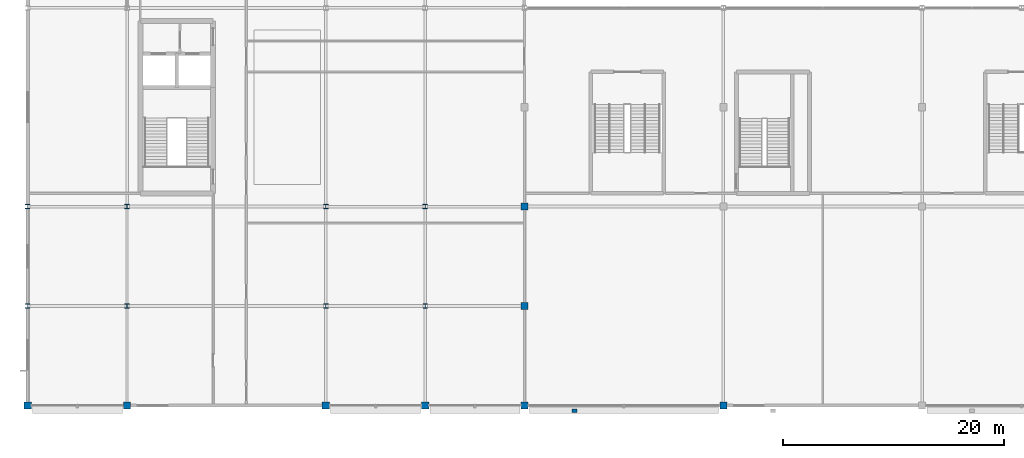
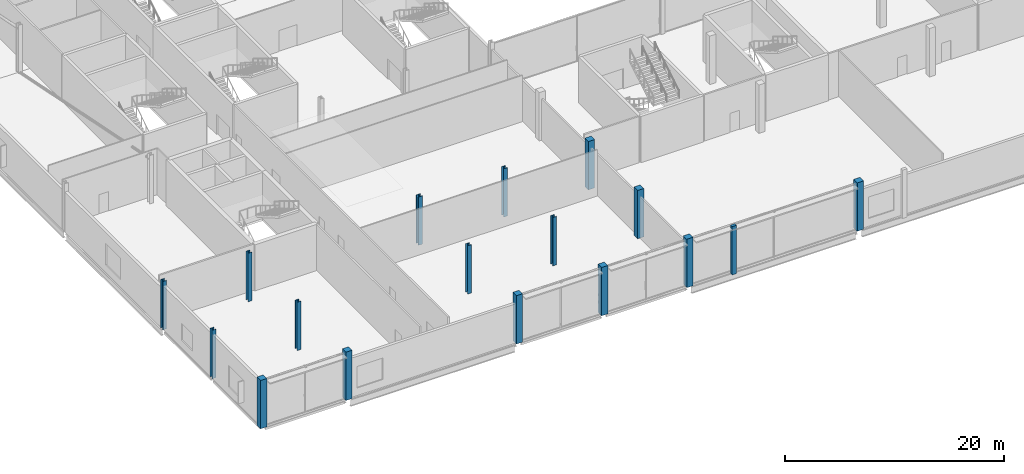
# One storey, part 1 of 111: 17 columns.
"""IFC4 building model written with IfcOpenShell, lengths in metres."""

from ifc_helpers import new_model, si_unit, direction, frame, origin, origin_2d, place, context, subcontext, project, spatial, rectangle, i_section, extrude, material, material_profile, profile_set, type_object, element, save


model = new_model("IFC4")

# Units and contexts
model_context = context("Model", 3, precision=1e-05, world=origin(), true_north=direction((0.0, 1.0)))
body_context = subcontext(model_context, "Body", "Model", "MODEL_VIEW")
ifc_project = project(units=[si_unit("LENGTHUNIT", "METRE"), si_unit("AREAUNIT", "SQUARE_METRE"), si_unit("VOLUMEUNIT", "CUBIC_METRE"), si_unit("PLANEANGLEUNIT", "RADIAN"), si_unit("MASSUNIT", "GRAM", prefix="KILO")], contexts=[model_context])

# Site, building, storey
site_placement = place(None, origin())
site = spatial("IfcSite", under=ifc_project, at=site_placement, CompositionType="ELEMENT")
building_placement = place(site_placement, origin())
building = spatial("IfcBuilding", under=site, at=building_placement, Name="Kisiwana Market Hall", CompositionType="ELEMENT")
storey_placement = place(building_placement, frame((0.0, 0.0, 11.39990234375)))
storey = spatial("IfcBuildingStorey", under=building, at=storey_placement, Name="L02", CompositionType="ELEMENT", Elevation=11.39990234375)

# Columns
ifc_material_1 = material(Name="Concrete C40/50", Category="concrete")
ifc_material_profile_1 = material_profile(ifc_material_1, rectangle(XDim=0.64990234375, YDim=0.64990234375, at=origin_2d()), Name="RC 650x650")
ifc_profile_set_1 = profile_set([ifc_material_profile_1], Name="Concrete C40/50")
column_type_1 = type_object("IfcColumnType", Name="COL-RC-POD-650", PredefinedType="COLUMN", material=ifc_profile_set_1)
for number, where, z_axis, x_axis, name in (
    (1, (0.0, 0.0, 0.0), (0.0, 0.0, 1.0), (1.0, 0.0, 0.0), "Column A/1 (L02) C-0510"),
    (2, (9.0, 0.0, 0.0), (0.0, 0.0, 1.0), (1.0, 0.0, 0.0), "Column A/2 (L02) C-0519"),
    (3, (27.0, 0.0, 0.0), (0.0, 0.0, 1.0), (1.0, 0.0, 0.0), "Column A/4 (L02) C-0527"),
    (4, (36.0, 0.0, 0.0), (0.0, 0.0, 1.0), (1.0, 0.0, 0.0), "Column A/5 (L02) C-0536"),
    (5, (45.0, 0.0, 0.0), (0.0, 0.0, 1.0), (1.0, 0.0, 0.0), "Column A/6 (L02) C-0544"),
    (6, (45.0, 9.0, 0.0), (0.0, 0.0, 1.0), (1.0, 0.0, 0.0), "Column B/6 (L02) C-0545"),
    (7, (45.0, 18.0, 0.0), (0.0, 0.0, 1.0), (1.0, 0.0, 0.0), "Column C/6 (L02) C-0546"),
    (8, (63.0, 0.0, 0.0), (0.0, 0.0, 1.0), (1.0, 0.0, 0.0), "Column A/8 (L02) C-0555"),
):
    element("IfcColumn", number, at=place(storey_placement, frame(where, z_axis=z_axis, x_axis=x_axis)), inside=storey, type_object=column_type_1, Name=name, PredefinedType="COLUMN", context=body_context, shape_type="SweptSolid", body=[
        extrude(rectangle(XDim=0.64990234375, YDim=0.64990234375, at=origin_2d()), origin(), (0.0, 0.0, 1.0), 5.400146484375),
    ])
ifc_material_2 = material(Name="Steel S355", Category="steel")
ifc_material_profile_2 = material_profile(ifc_material_2, i_section(OverallWidth=0.406005859375, OverallDepth=0.416015625, WebThickness=0.02978515625, FlangeThickness=0.048095703125, at=origin_2d()), Name="HD 400x382")
ifc_profile_set_2 = profile_set([ifc_material_profile_2], Name="Steel S355")
column_type_2 = type_object("IfcColumnType", Name="COL-STL-HD382", PredefinedType="COLUMN", material=ifc_profile_set_2)
for number, where, z_axis, x_axis, name in (
    (9, (0.0, 18.0, 0.0), (0.0, 0.0, 1.0), (1.0, 0.0, 0.0), "Column C/1 (L02) C-0512"),
    (10, (9.0, 18.0, 0.0), (0.0, 0.0, 1.0), (1.0, 0.0, 0.0), "Column C/2 (L02) C-0521"),
    (11, (27.0, 18.0, 0.0), (0.0, 0.0, 1.0), (1.0, 0.0, 0.0), "Column C/4 (L02) C-0529"),
    (12, (36.0, 18.0, 0.0), (0.0, 0.0, 1.0), (1.0, 0.0, 0.0), "Column C/5 (L02) C-0538"),
):
    element("IfcColumn", number, at=place(storey_placement, frame(where, z_axis=z_axis, x_axis=x_axis)), inside=storey, type_object=column_type_2, Name=name, PredefinedType="COLUMN", context=body_context, shape_type="SweptSolid", body=[
        extrude(i_section(OverallWidth=0.406005859375, OverallDepth=0.416015625, WebThickness=0.02978515625, FlangeThickness=0.048095703125, at=origin_2d()), origin(), (0.0, 0.0, 1.0), 5.400146484375),
    ])
ifc_material_3 = material(Name="Steel S355", Category="steel")
ifc_material_profile_3 = material_profile(ifc_material_3, i_section(OverallWidth=0.39892578125, OverallDepth=0.3935546875, WebThickness=0.022705078125, FlangeThickness=0.03662109375, at=origin_2d()), Name="UC 356x406x287")
ifc_profile_set_3 = profile_set([ifc_material_profile_3], Name="Steel S355")
column_type_3 = type_object("IfcColumnType", Name="COL-STL-UC287", PredefinedType="COLUMN", material=ifc_profile_set_3)
for number, where, z_axis, x_axis, name in (
    (13, (0.0, 9.0, 0.0), (0.0, 0.0, 1.0), (1.0, 0.0, 0.0), "Column B/1 (L02) C-0511"),
    (14, (9.0, 9.0, 0.0), (0.0, 0.0, 1.0), (1.0, 0.0, 0.0), "Column B/2 (L02) C-0520"),
    (15, (27.0, 9.0, 0.0), (0.0, 0.0, 1.0), (1.0, 0.0, 0.0), "Column B/4 (L02) C-0528"),
    (16, (36.0, 9.0, 0.0), (0.0, 0.0, 1.0), (1.0, 0.0, 0.0), "Column B/5 (L02) C-0537"),
):
    element("IfcColumn", number, at=place(storey_placement, frame(where, z_axis=z_axis, x_axis=x_axis)), inside=storey, type_object=column_type_3, Name=name, PredefinedType="COLUMN", context=body_context, shape_type="SweptSolid", body=[
        extrude(i_section(OverallWidth=0.39892578125, OverallDepth=0.3935546875, WebThickness=0.022705078125, FlangeThickness=0.03662109375, at=origin_2d()), origin(), (0.0, 0.0, 1.0), 5.400146484375),
    ])
ifc_material_4 = material(Name="Concrete C40/50", Category="concrete")
ifc_material_profile_4 = material_profile(ifc_material_4, rectangle(XDim=0.449951171875, YDim=0.300048828125, at=origin_2d()), Name="PIL 450x300")
ifc_profile_set_4 = profile_set([ifc_material_profile_4], Name="Concrete C40/50")
column_type_4 = type_object("IfcColumnType", Name="PIL-CONC-450", PredefinedType="PILASTER", material=ifc_profile_set_4)
column_placement = place(storey_placement, frame((49.5, -0.5, 0.0), z_axis=(0.0, 0.0, 1.0), x_axis=(1.0, 0.0, 0.0)))
element("IfcColumn", 17, at=column_placement, inside=storey, type_object=column_type_4, Name="Facade pilaster A/6 (L02) C-0644", PredefinedType="PILASTER", context=body_context, shape_type="SweptSolid", body=[
    extrude(rectangle(XDim=0.449951171875, YDim=0.300048828125, at=origin_2d()), origin(), (0.0, 0.0, 1.0), 5.400146484375),
])

save(model, "model.ifc")
